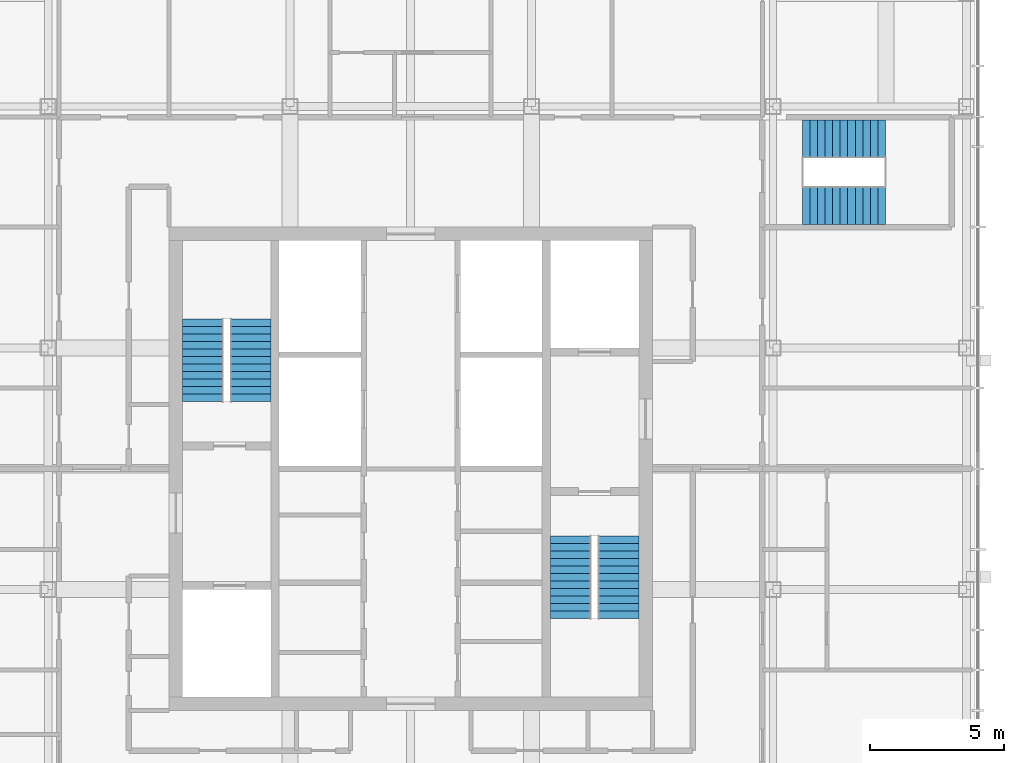
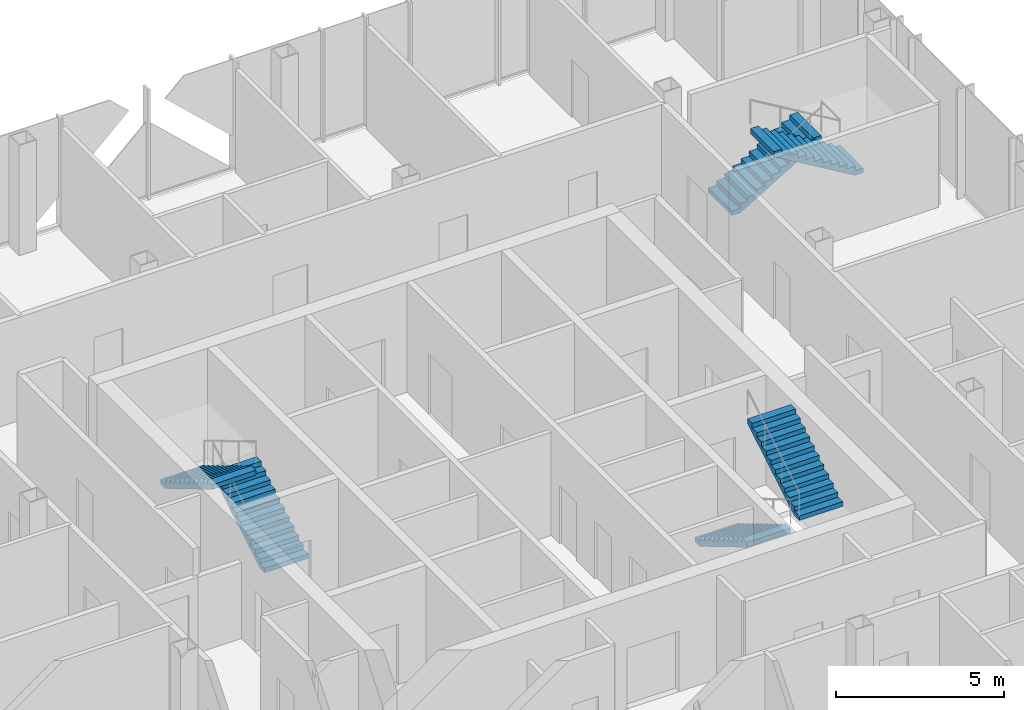
# One storey, part 11 of 12: 6 stair flights, 3 elements without a shape of their own.
"""IFC4 building model written with IfcOpenShell, lengths in metres."""

import ifcopenshell
import ifcopenshell.guid

model = None  # the IFC model being written
_history = None  # IfcOwnerHistory: only IFC2X3 demands one
_inside = {}  # id of a spatial element -> (the spatial element, [elements in it])
_under = {}  # id of a project, library or spatial element -> (it, [spatial elements below it])
_declared = {}  # id of a project -> (the project, [libraries it declares])
_typed = {}  # id of a type object -> (the type object, [elements of that type])
_made_of = {}  # id of a material, layer set ... -> (it, [elements and type objects made of it])


def new_model(schema):
    """Start an empty IFC model of exactly this schema.

    Asked for "IFC4X3", IfcOpenShell would pick the latest addendum, in which some entities
    have other attributes; the version numbers below select the first issue.
    IFC2X3 requires an IfcOwnerHistory on every rooted entity: one is made here for all.
    """
    global model, _history
    if schema == "IFC4X3":
        model = ifcopenshell.file(schema_version=(4, 3, 0, 0))
    else:
        model = ifcopenshell.file(schema=schema)
    _inside.clear()
    _under.clear()
    _declared.clear()
    _typed.clear()
    _made_of.clear()
    _history = None
    if model.schema == "IFC2X3":
        org = make("IfcOrganization", Name="unknown")
        user = make(
            "IfcPersonAndOrganization",
            ThePerson=make("IfcPerson", FamilyName="unknown"),
            TheOrganization=org,
        )
        app = make(
            "IfcApplication",
            ApplicationDeveloper=org,
            Version="unknown",
            ApplicationFullName="unknown",
            ApplicationIdentifier="unknown",
        )
        _history = make(
            "IfcOwnerHistory",
            OwningUser=user,
            OwningApplication=app,
            ChangeAction="ADDED",
            CreationDate=0,
        )
    return model


def make(cls, **values):
    """One entity of the class cls with the attributes given. An attribute that is None is left unset."""
    return model.create_entity(
        cls, **{name: value for name, value in values.items() if value is not None}
    )


def rooted(cls, **values):
    """An entity with a GlobalId (a new one), such as an element, a storey or a relation."""
    return make(cls, GlobalId=ifcopenshell.guid.new(), OwnerHistory=_history, **values)


def si_unit(unit_type, name, prefix=None):
    """IfcSIUnit, for example si_unit("LENGTHUNIT", "METRE", prefix="MILLI")."""
    return make("IfcSIUnit", UnitType=unit_type, Prefix=prefix, Name=name)


def assignment(units):
    """IfcUnitAssignment: the units of a project."""
    return None if units is None else make("IfcUnitAssignment", Units=units)


def point(xyz):
    """IfcCartesianPoint."""
    return None if xyz is None else make("IfcCartesianPoint", Coordinates=xyz)


def direction(xyz):
    """IfcDirection."""
    return None if xyz is None else make("IfcDirection", DirectionRatios=xyz)


def frame(location, z_axis=None, x_axis=None):
    """IfcAxis2Placement3D, a coordinate frame: its origin and axes. An axis left out is left unset."""
    return make(
        "IfcAxis2Placement3D",
        Location=point(location),
        Axis=direction(z_axis),
        RefDirection=direction(x_axis),
    )


def origin():
    """The frame at (0, 0, 0) with its axes left unset."""
    return frame((0.0, 0.0, 0.0))


def place(relative_to, where):
    """IfcLocalPlacement: puts the frame where relative to a parent placement (None: the world)."""
    return make(
        "IfcLocalPlacement", PlacementRelTo=relative_to, RelativePlacement=where
    )


def context(
    kind, dimensions, precision=None, world=None, true_north=None, identifier=None
):
    """IfcGeometricRepresentationContext, for example the 3D "Model" context."""
    return make(
        "IfcGeometricRepresentationContext",
        ContextIdentifier=identifier,
        ContextType=kind,
        CoordinateSpaceDimension=dimensions,
        Precision=precision,
        WorldCoordinateSystem=world,
        TrueNorth=true_north,
    )


def subcontext(parent, identifier, kind, view, scale=None):
    """IfcGeometricRepresentationSubContext, for example "Body" below "Model"."""
    return make(
        "IfcGeometricRepresentationSubContext",
        ContextIdentifier=identifier,
        ContextType=kind,
        ParentContext=parent,
        TargetScale=scale,
        TargetView=view,
    )


def project(units=None, contexts=None):
    """IfcProject with its units and contexts."""
    return rooted(
        "IfcProject",
        Name="project",
        RepresentationContexts=contexts,
        UnitsInContext=assignment(units),
    )


def spatial(cls, under=None, at=None, **own):
    """A site, building, storey or space (cls), placed at a placement, below another one or the project."""
    s = rooted(cls, ObjectPlacement=at, **own)
    if under is not None:
        _under.setdefault(under.id(), (under, []))[1].append(s)
    return s


def polyline(points):
    """IfcPolyline through the points."""
    return make("IfcPolyline", Points=[point(p) for p in points])


def outline(outer, holes=None, kind="AREA"):
    """IfcArbitraryClosedProfileDef: a profile drawn as a closed curve; with holes, ...WithVoids."""
    if holes is None:
        return make("IfcArbitraryClosedProfileDef", ProfileType=kind, OuterCurve=outer)
    return make(
        "IfcArbitraryProfileDefWithVoids",
        ProfileType=kind,
        OuterCurve=outer,
        InnerCurves=holes,
    )


def extrude(swept, where, along, depth):
    """IfcExtrudedAreaSolid: the profile swept, set in the frame where, extruded along a direction by depth."""
    return make(
        "IfcExtrudedAreaSolid",
        SweptArea=swept,
        Position=where,
        ExtrudedDirection=direction(along),
        Depth=depth,
    )


def shape(context_of_items, identifier, shape_type, items):
    """IfcShapeRepresentation: the items that make up one representation, for example the "Body"."""
    return make(
        "IfcShapeRepresentation",
        ContextOfItems=context_of_items,
        RepresentationIdentifier=identifier,
        RepresentationType=shape_type,
        Items=items,
    )


def material(Name=None, Category=None):
    """IfcMaterial."""
    return make("IfcMaterial", Name=Name, Category=Category)


def made_of(thing, what):
    """Note that an element or type object is made of a material, layer set ...; save() writes the relation."""
    if what is not None:
        _made_of.setdefault(what.id(), (what, []))[1].append(thing)
    return thing


def type_object(cls, material=None, **own):
    """A type object (cls), such as IfcWallType, which elements share."""
    return made_of(rooted(cls, **own), material)


def element(
    cls,
    number,
    at=None,
    inside=None,
    cuts=None,
    type_object=None,
    material=None,
    context=None,
    identifier="Body",
    shape_type=None,
    held_by="IfcProductDefinitionShape",
    body=None,
    shapes=None,
    **own,
):
    """One element of the class cls, such as IfcWall. Its Tag is "e" and its number.

    at: its placement. inside: the storey or other place that contains it. cuts: it is an
    opening in that element (IfcRelVoidsElement). A single representation is given by context,
    identifier, shape_type and body (its items); several are given by shapes. held_by: the class
    of the entity that holds the representations. save() writes the other relations.
    """
    e = rooted(cls, Tag="e%d" % number, ObjectPlacement=at, **own)
    if body is not None:
        shapes = [shape(context, identifier, shape_type, body)]
    if shapes is not None:
        e.Representation = make(held_by, Representations=shapes)
    if inside is not None:
        _inside.setdefault(inside.id(), (inside, []))[1].append(e)
    if cuts is not None:
        rooted(
            "IfcRelVoidsElement", RelatingBuildingElement=cuts, RelatedOpeningElement=e
        )
    if type_object is not None:
        _typed.setdefault(type_object.id(), (type_object, []))[1].append(e)
    return made_of(e, material)


def aggregate(whole, parts):
    """IfcRelAggregates: a whole, such as a stair, and the parts it consists of."""
    return rooted("IfcRelAggregates", RelatingObject=whole, RelatedObjects=parts)


def save(model, path):
    """Write the relations noted so far, then the file.

    IfcRelAggregates (storeys below a building ...), IfcRelContainedInSpatialStructure (elements
    in a storey), IfcRelDefinesByType, IfcRelAssociatesMaterial and IfcRelDeclares: one each for
    every whole, place, type object, material and project.
    """
    for whole, parts in _under.values():
        aggregate(whole, parts)
    for where, things in _inside.values():
        rooted(
            "IfcRelContainedInSpatialStructure",
            RelatedElements=things,
            RelatingStructure=where,
        )
    for kind, things in _typed.values():
        rooted("IfcRelDefinesByType", RelatedObjects=things, RelatingType=kind)
    for what, things in _made_of.values():
        rooted("IfcRelAssociatesMaterial", RelatedObjects=things, RelatingMaterial=what)
    for by, libraries in _declared.values():
        rooted("IfcRelDeclares", RelatingContext=by, RelatedDefinitions=libraries)
    model.write(path)


model = new_model("IFC4")

# Units and contexts
model_context = context("Model", 3, precision=1e-05, world=origin(), true_north=direction((0.0, 1.0)))
body_context = subcontext(model_context, "Body", "Model", "MODEL_VIEW")
ifc_project = project(units=[si_unit("LENGTHUNIT", "METRE"), si_unit("AREAUNIT", "SQUARE_METRE"), si_unit("VOLUMEUNIT", "CUBIC_METRE"), si_unit("PLANEANGLEUNIT", "RADIAN"), si_unit("MASSUNIT", "GRAM", prefix="KILO")], contexts=[model_context])

# Site, building, storey
site_placement = place(None, origin())
site = spatial("IfcSite", under=ifc_project, at=site_placement, CompositionType="ELEMENT")
building_placement = place(site_placement, origin())
building = spatial("IfcBuilding", under=site, at=building_placement, Name="Malebo Sky Hospital", CompositionType="ELEMENT")
storey_placement = place(building_placement, frame((0.0, 0.0, 266.0)))
storey = spatial("IfcBuildingStorey", under=building, at=storey_placement, Name="L64", CompositionType="ELEMENT", Elevation=266.0)

# Stair, stair flights
ifc_material = material(Name="Concrete C40/50", Category="concrete")
stair_type_1 = type_object("IfcStairType", Name="HALF-TURN STAIR 1400 R167", PredefinedType="HALF_TURN_STAIR", material=ifc_material)
stair_1_placement = place(storey_placement, origin())
stair_1 = element("IfcStair", 1, at=stair_1_placement, inside=storey, type_object=stair_type_1, Name="Stair S3 L64 type ST1B", PredefinedType="HALF_TURN_STAIR")
stair_flight_type_1 = type_object("IfcStairFlightType", Name="STAIR FLIGHT 1400 R167", PredefinedType="STRAIGHT", material=ifc_material)
stair_flight_1_placement = place(storey_placement, frame((74.60009765625, 74.300048828125, 0.0), z_axis=(0.0, 0.0, 1.0), x_axis=(1.0, 0.0, 0.0)))
stair_flight_1 = element("IfcStairFlight", 2, at=stair_flight_1_placement, type_object=stair_flight_type_1, Name="S3 flight 1 type SF1B", NumberOfRisers=12, NumberOfTreads=11, PredefinedType="STRAIGHT", RiserHeight=0.166666667, TreadLength=0.28, context=body_context, shape_type="SweptSolid", body=[
    extrude(outline(polyline([(0.0, 0.0), (0.0, 0.166748046875), (0.280029296875, 0.166748046875), (0.280029296875, 0.333251953125), (0.56005859375, 0.333251953125), (0.56005859375, 0.5), (0.840087890625, 0.5), (0.840087890625, 0.666748046875), (1.1201171875, 0.666748046875), (1.1201171875, 0.833251953125), (1.39990234375, 0.833251953125), (1.39990234375, 1.0), (1.679931640625, 1.0), (1.679931640625, 1.166748046875), (1.9599609375, 1.166748046875), (1.9599609375, 1.333251953125), (2.239990234375, 1.333251953125), (2.239990234375, 1.5), (2.52001953125, 1.5), (2.52001953125, 1.666748046875), (2.800048828125, 1.666748046875), (2.800048828125, 1.833251953125), (3.080078125, 1.833251953125), (3.080078125, 2.0), (3.080078125, 1.658935546875), (0.29296875, 0.0), (0.0, 0.0)])), frame((0.0, 0.699951171875, 0.0), z_axis=(0.0, -1.0, 0.0), x_axis=(1.0, 0.0, 0.0)), (0.0, 0.0, 1.0), 1.39990234375),
])
stair_flight_2_placement = place(storey_placement, frame((77.679931640625, 71.800048828125, 2.0), z_axis=(0.0, 0.0, 1.0), x_axis=(-1.0, 0.0, 0.0)))
stair_flight_2 = element("IfcStairFlight", 3, at=stair_flight_2_placement, type_object=stair_flight_type_1, Name="S3 flight 2 type SF1B", NumberOfRisers=12, NumberOfTreads=11, PredefinedType="STRAIGHT", RiserHeight=0.166666667, TreadLength=0.28, context=body_context, shape_type="SweptSolid", body=[
    extrude(outline(polyline([(0.0, 0.0), (0.0, 0.166748046875), (0.280029296875, 0.166748046875), (0.280029296875, 0.333251953125), (0.56005859375, 0.333251953125), (0.56005859375, 0.5), (0.840087890625, 0.5), (0.840087890625, 0.666748046875), (1.1201171875, 0.666748046875), (1.1201171875, 0.833251953125), (1.39990234375, 0.833251953125), (1.39990234375, 1.0), (1.679931640625, 1.0), (1.679931640625, 1.166748046875), (1.9599609375, 1.166748046875), (1.9599609375, 1.333251953125), (2.239990234375, 1.333251953125), (2.239990234375, 1.5), (2.52001953125, 1.5), (2.52001953125, 1.666748046875), (2.800048828125, 1.666748046875), (2.800048828125, 1.833251953125), (3.080078125, 1.833251953125), (3.080078125, 2.0), (3.080078125, 1.658935546875), (0.29296875, 0.0), (0.0, 0.0)])), frame((0.0, 0.699951171875, 0.0), z_axis=(0.0, -1.0, 0.0), x_axis=(1.0, 0.0, 0.0)), (0.0, 0.0, 1.0), 1.39990234375),
])
aggregate(stair_1, [stair_flight_1, stair_flight_2])

stair_type_2 = type_object("IfcStairType", Name="HALF-TURN STAIR 1500 R167", PredefinedType="HALF_TURN_STAIR", material=ifc_material)
stair_2_placement = place(storey_placement, origin())
stair_2 = element("IfcStair", 4, at=stair_2_placement, inside=storey, type_object=stair_type_2, Name="Stair S1 L64 type ST1", PredefinedType="HALF_TURN_STAIR")
stair_flight_type_2 = type_object("IfcStairFlightType", Name="STAIR FLIGHT 1500 R167", PredefinedType="STRAIGHT", material=ifc_material)
stair_flight_3_placement = place(storey_placement, frame((54.050048828125, 64.5, 0.0), z_axis=(0.0, 0.0, 1.0), x_axis=(0.0, 1.0, 0.0)))
stair_flight_3 = element("IfcStairFlight", 5, at=stair_flight_3_placement, type_object=stair_flight_type_2, Name="S1 flight 1 type SF1", NumberOfRisers=12, NumberOfTreads=11, PredefinedType="STRAIGHT", RiserHeight=0.166666667, TreadLength=0.28, context=body_context, shape_type="SweptSolid", body=[
    extrude(outline(polyline([(0.0, 0.0), (0.0, 0.166748046875), (0.280029296875, 0.166748046875), (0.280029296875, 0.333251953125), (0.56005859375, 0.333251953125), (0.56005859375, 0.5), (0.840087890625, 0.5), (0.840087890625, 0.666748046875), (1.1201171875, 0.666748046875), (1.1201171875, 0.833251953125), (1.39990234375, 0.833251953125), (1.39990234375, 1.0), (1.679931640625, 1.0), (1.679931640625, 1.166748046875), (1.9599609375, 1.166748046875), (1.9599609375, 1.333251953125), (2.239990234375, 1.333251953125), (2.239990234375, 1.5), (2.52001953125, 1.5), (2.52001953125, 1.666748046875), (2.800048828125, 1.666748046875), (2.800048828125, 1.833251953125), (3.080078125, 1.833251953125), (3.080078125, 2.0), (3.080078125, 1.658935546875), (0.29296875, 0.0), (0.0, 0.0)])), frame((0.0, 0.75, 0.0), z_axis=(0.0, -1.0, 0.0), x_axis=(1.0, 0.0, 0.0)), (0.0, 0.0, 1.0), 1.5),
])
stair_flight_4_placement = place(storey_placement, frame((52.25, 67.580078125, 2.0), z_axis=(0.0, 0.0, 1.0), x_axis=(0.0, -1.0, 0.0)))
stair_flight_4 = element("IfcStairFlight", 6, at=stair_flight_4_placement, type_object=stair_flight_type_2, Name="S1 flight 2 type SF1", NumberOfRisers=12, NumberOfTreads=11, PredefinedType="STRAIGHT", RiserHeight=0.166666667, TreadLength=0.28, context=body_context, shape_type="SweptSolid", body=[
    extrude(outline(polyline([(0.0, 0.0), (0.0, 0.166748046875), (0.280029296875, 0.166748046875), (0.280029296875, 0.333251953125), (0.56005859375, 0.333251953125), (0.56005859375, 0.5), (0.840087890625, 0.5), (0.840087890625, 0.666748046875), (1.1201171875, 0.666748046875), (1.1201171875, 0.833251953125), (1.39990234375, 0.833251953125), (1.39990234375, 1.0), (1.679931640625, 1.0), (1.679931640625, 1.166748046875), (1.9599609375, 1.166748046875), (1.9599609375, 1.333251953125), (2.239990234375, 1.333251953125), (2.239990234375, 1.5), (2.52001953125, 1.5), (2.52001953125, 1.666748046875), (2.800048828125, 1.666748046875), (2.800048828125, 1.833251953125), (3.080078125, 1.833251953125), (3.080078125, 2.0), (3.080078125, 1.658935546875), (0.29296875, 0.0), (0.0, 0.0)])), frame((0.0, 0.75, 0.0), z_axis=(0.0, -1.0, 0.0), x_axis=(1.0, 0.0, 0.0)), (0.0, 0.0, 1.0), 1.5),
])
aggregate(stair_2, [stair_flight_3, stair_flight_4])

stair_3_placement = place(storey_placement, origin())
stair_3 = element("IfcStair", 7, at=stair_3_placement, inside=storey, type_object=stair_type_2, Name="Stair S2 L64 type ST1", PredefinedType="HALF_TURN_STAIR")
stair_flight_5_placement = place(storey_placement, frame((65.949951171875, 59.5, 0.0), z_axis=(0.0, 0.0, 1.0), x_axis=(0.0, -1.0, 0.0)))
stair_flight_5 = element("IfcStairFlight", 8, at=stair_flight_5_placement, type_object=stair_flight_type_2, Name="S2 flight 1 type SF1", NumberOfRisers=12, NumberOfTreads=11, PredefinedType="STRAIGHT", RiserHeight=0.166666667, TreadLength=0.28, context=body_context, shape_type="SweptSolid", body=[
    extrude(outline(polyline([(0.0, 0.0), (0.0, 0.166748046875), (0.280029296875, 0.166748046875), (0.280029296875, 0.333251953125), (0.56005859375, 0.333251953125), (0.56005859375, 0.5), (0.840087890625, 0.5), (0.840087890625, 0.666748046875), (1.1201171875, 0.666748046875), (1.1201171875, 0.833251953125), (1.39990234375, 0.833251953125), (1.39990234375, 1.0), (1.679931640625, 1.0), (1.679931640625, 1.166748046875), (1.9599609375, 1.166748046875), (1.9599609375, 1.333251953125), (2.239990234375, 1.333251953125), (2.239990234375, 1.5), (2.52001953125, 1.5), (2.52001953125, 1.666748046875), (2.800048828125, 1.666748046875), (2.800048828125, 1.833251953125), (3.080078125, 1.833251953125), (3.080078125, 2.0), (3.080078125, 1.658935546875), (0.29296875, 0.0), (0.0, 0.0)])), frame((0.0, 0.75, 0.0), z_axis=(0.0, -1.0, 0.0), x_axis=(1.0, 0.0, 0.0)), (0.0, 0.0, 1.0), 1.5),
])
stair_flight_6_placement = place(storey_placement, frame((67.75, 56.419921875, 2.0), z_axis=(0.0, 0.0, 1.0), x_axis=(0.0, 1.0, 0.0)))
stair_flight_6 = element("IfcStairFlight", 9, at=stair_flight_6_placement, type_object=stair_flight_type_2, Name="S2 flight 2 type SF1", NumberOfRisers=12, NumberOfTreads=11, PredefinedType="STRAIGHT", RiserHeight=0.166666667, TreadLength=0.28, context=body_context, shape_type="SweptSolid", body=[
    extrude(outline(polyline([(0.0, 0.0), (0.0, 0.166748046875), (0.280029296875, 0.166748046875), (0.280029296875, 0.333251953125), (0.56005859375, 0.333251953125), (0.56005859375, 0.5), (0.840087890625, 0.5), (0.840087890625, 0.666748046875), (1.1201171875, 0.666748046875), (1.1201171875, 0.833251953125), (1.39990234375, 0.833251953125), (1.39990234375, 1.0), (1.679931640625, 1.0), (1.679931640625, 1.166748046875), (1.9599609375, 1.166748046875), (1.9599609375, 1.333251953125), (2.239990234375, 1.333251953125), (2.239990234375, 1.5), (2.52001953125, 1.5), (2.52001953125, 1.666748046875), (2.800048828125, 1.666748046875), (2.800048828125, 1.833251953125), (3.080078125, 1.833251953125), (3.080078125, 2.0), (3.080078125, 1.658935546875), (0.29296875, 0.0), (0.0, 0.0)])), frame((0.0, 0.75, 0.0), z_axis=(0.0, -1.0, 0.0), x_axis=(1.0, 0.0, 0.0)), (0.0, 0.0, 1.0), 1.5),
])
aggregate(stair_3, [stair_flight_5, stair_flight_6])

save(model, "model.ifc")
